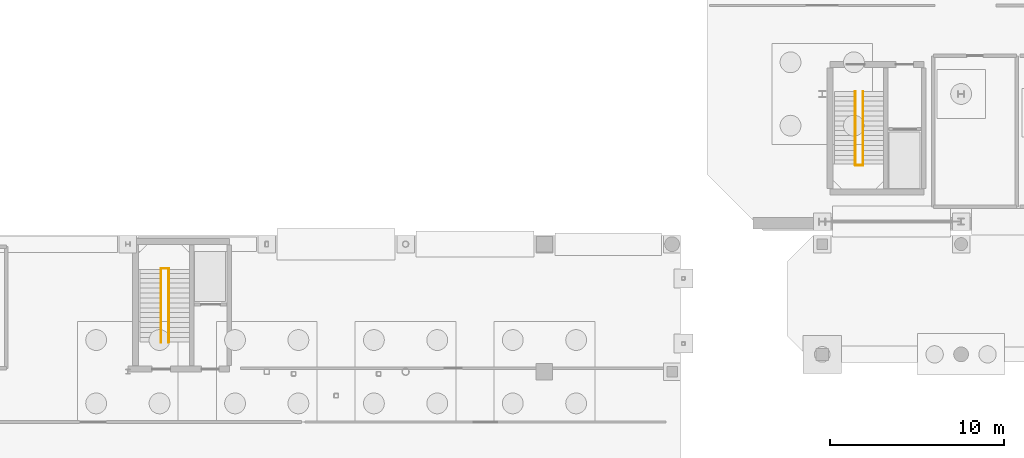
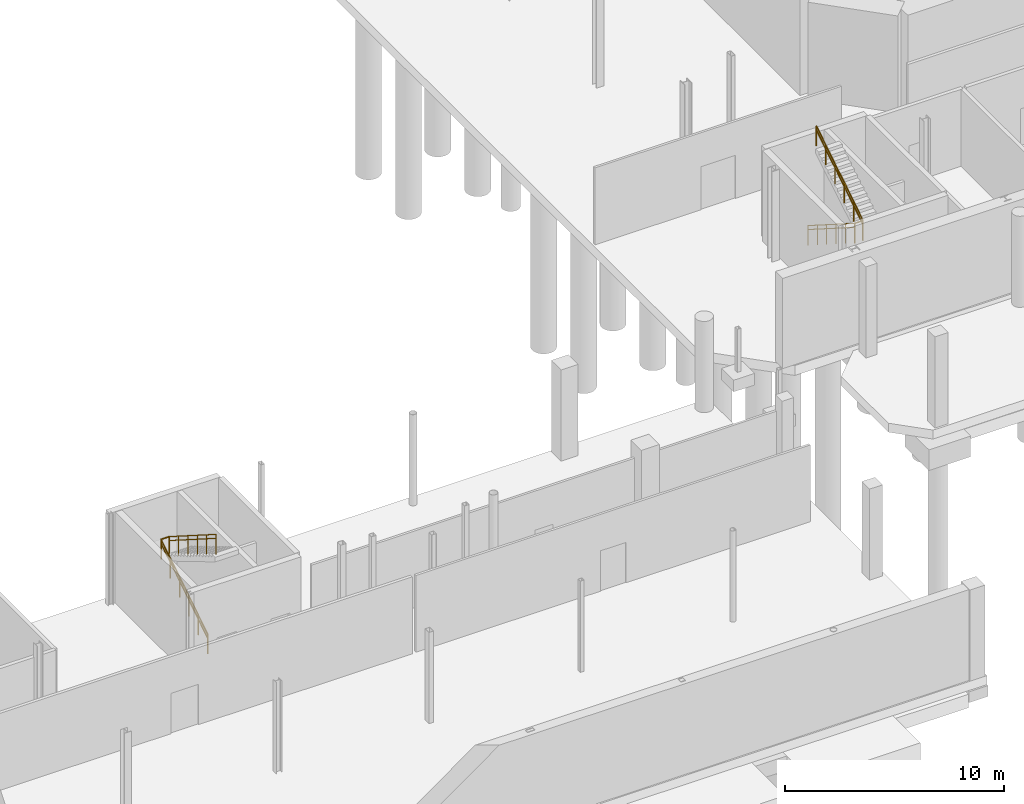
# One storey, part 30 of 33: 10 railings.
"""IFC4 building model written with IfcOpenShell, lengths in metres."""

from ifc_helpers import new_model, si_unit, direction, frame, origin, origin_2d, place, context, subcontext, project, spatial, circle, extrude, material, type_object, element, save


model = new_model("IFC4")

# Units and contexts
model_context = context("Model", 3, precision=1e-05, world=origin(), true_north=direction((0.0, 1.0)))
body_context = subcontext(model_context, "Body", "Model", "MODEL_VIEW")
ifc_project = project(units=[si_unit("LENGTHUNIT", "METRE"), si_unit("AREAUNIT", "SQUARE_METRE"), si_unit("VOLUMEUNIT", "CUBIC_METRE"), si_unit("PLANEANGLEUNIT", "RADIAN"), si_unit("MASSUNIT", "GRAM", prefix="KILO")], contexts=[model_context])

# Site, building, storey
site_placement = place(None, origin())
site = spatial("IfcSite", under=ifc_project, at=site_placement, CompositionType="ELEMENT")
building_placement = place(site_placement, origin())
building = spatial("IfcBuilding", under=site, at=building_placement, Name="Brisemont Oceanarium", CompositionType="ELEMENT")
storey_placement = place(building_placement, frame((0.0, 0.0, -5.39990234375)))
storey = spatial("IfcBuildingStorey", under=building, at=storey_placement, Name="B01", CompositionType="ELEMENT", Elevation=-5.39990234375)

# Railings
ifc_material_1 = material(Name="Duplex Stainless Steel EN 1.4462", Category="steel")
railing_type_1 = type_object("IfcRailingType", Name="RLG-GUARD-1120", PredefinedType="GUARDRAIL", material=ifc_material_1)
railing_1_placement = place(storey_placement, frame((65.909912109375, 40.14990234375, 0.0)))
element("IfcRailing", 1, at=railing_1_placement, inside=storey, type_object=railing_type_1, Name="ST-01 B01 F1 well guard", PredefinedType="GUARDRAIL", context=body_context, shape_type="SweptSolid", body=[
    extrude(circle(Radius=0.02392578125, at=origin_2d()), frame((0.0, 0.0, 1.09619140625), z_axis=(0.0, -0.84407452441, 0.536225882666), x_axis=(1.0, 0.0, 0.0)), (0.0, 0.0, 1.0), 5.03515625),
    extrude(circle(Radius=0.02099609375, at=origin_2d()), origin(), (0.0, 0.0, 1.0), 1.072021484375),
    extrude(circle(Radius=0.02099609375, at=origin_2d()), frame((0.0, -0.85009765625, 0.5400390625)), (0.0, 0.0, 1.0), 1.072021484375),
    extrude(circle(Radius=0.02099609375, at=origin_2d()), frame((0.0, -1.699951171875, 1.080078125)), (0.0, 0.0, 1.0), 1.072021484375),
    extrude(circle(Radius=0.02099609375, at=origin_2d()), frame((0.0, -2.550048828125, 1.619873046875)), (0.0, 0.0, 1.0), 1.072021484375),
    extrude(circle(Radius=0.02099609375, at=origin_2d()), frame((0.0, -3.39990234375, 2.159912109375)), (0.0, 0.0, 1.0), 1.072021484375),
    extrude(circle(Radius=0.02099609375, at=origin_2d()), frame((0.0, -4.25, 2.699951171875)), (0.0, 0.0, 1.0), 1.072021484375),
])
railing_2_placement = place(storey_placement, frame((66.35009765625, 35.89990234375, 2.699951171875)))
element("IfcRailing", 2, at=railing_2_placement, inside=storey, type_object=railing_type_1, Name="ST-01 B01 F2 well guard", PredefinedType="GUARDRAIL", context=body_context, shape_type="SweptSolid", body=[
    extrude(circle(Radius=0.02392578125, at=origin_2d()), frame((0.0, 0.0, 1.09619140625), z_axis=(0.0, 0.84407452441, 0.536225882666), x_axis=(-1.0, 0.0, 0.0)), (0.0, 0.0, 1.0), 5.03515625),
    extrude(circle(Radius=0.02099609375, at=origin_2d()), origin(), (0.0, 0.0, 1.0), 1.072021484375),
    extrude(circle(Radius=0.02099609375, at=origin_2d()), frame((0.0, 0.85009765625, 0.5400390625)), (0.0, 0.0, 1.0), 1.072021484375),
    extrude(circle(Radius=0.02099609375, at=origin_2d()), frame((0.0, 1.699951171875, 1.080078125)), (0.0, 0.0, 1.0), 1.072021484375),
    extrude(circle(Radius=0.02099609375, at=origin_2d()), frame((0.0, 2.550048828125, 1.619873046875)), (0.0, 0.0, 1.0), 1.072021484375),
    extrude(circle(Radius=0.02099609375, at=origin_2d()), frame((0.0, 3.39990234375, 2.159912109375)), (0.0, 0.0, 1.0), 1.072021484375),
    extrude(circle(Radius=0.02099609375, at=origin_2d()), frame((0.0, 4.25, 2.699951171875)), (0.0, 0.0, 1.0), 1.072021484375),
])
railing_3_placement = place(storey_placement, frame((65.909912109375, 35.89990234375, 2.699951171875)))
element("IfcRailing", 3, at=railing_3_placement, inside=storey, type_object=railing_type_1, Name="ST-01 B01 landing slot guard", PredefinedType="GUARDRAIL", context=body_context, shape_type="SweptSolid", body=[
    extrude(circle(Radius=0.02392578125, at=origin_2d()), frame((0.0, 0.0, 1.09619140625), z_axis=(1.0, 0.0, 0.0), x_axis=(0.0, 1.0, 0.0)), (0.0, 0.0, 1.0), 0.440185546875),
    extrude(circle(Radius=0.02099609375, at=origin_2d()), origin(), (0.0, 0.0, 1.0), 1.072021484375),
    extrude(circle(Radius=0.02099609375, at=origin_2d()), frame((0.440185546875, 0.0, 0.0)), (0.0, 0.0, 1.0), 1.072021484375),
])
railing_4_placement = place(storey_placement, frame((25.909912109375, 25.699951171875, 0.0)))
element("IfcRailing", 4, at=railing_4_placement, inside=storey, type_object=railing_type_1, Name="ST-03 B01 F1 well guard", PredefinedType="GUARDRAIL", context=body_context, shape_type="SweptSolid", body=[
    extrude(circle(Radius=0.02392578125, at=origin_2d()), frame((0.0, 0.0, 1.09619140625), z_axis=(0.0, 0.84407452441, 0.536225882666), x_axis=(-1.0, 0.0, 0.0)), (0.0, 0.0, 1.0), 5.03515625),
    extrude(circle(Radius=0.02099609375, at=origin_2d()), origin(), (0.0, 0.0, 1.0), 1.072021484375),
    extrude(circle(Radius=0.02099609375, at=origin_2d()), frame((0.0, 0.85009765625, 0.5400390625)), (0.0, 0.0, 1.0), 1.072021484375),
    extrude(circle(Radius=0.02099609375, at=origin_2d()), frame((0.0, 1.699951171875, 1.080078125)), (0.0, 0.0, 1.0), 1.072021484375),
    extrude(circle(Radius=0.02099609375, at=origin_2d()), frame((0.0, 2.550048828125, 1.619873046875)), (0.0, 0.0, 1.0), 1.072021484375),
    extrude(circle(Radius=0.02099609375, at=origin_2d()), frame((0.0, 3.39990234375, 2.159912109375)), (0.0, 0.0, 1.0), 1.072021484375),
    extrude(circle(Radius=0.02099609375, at=origin_2d()), frame((0.0, 4.25, 2.699951171875)), (0.0, 0.0, 1.0), 1.072021484375),
])
railing_5_placement = place(storey_placement, frame((26.35009765625, 29.949951171875, 2.699951171875)))
element("IfcRailing", 5, at=railing_5_placement, inside=storey, type_object=railing_type_1, Name="ST-03 B01 F2 well guard", PredefinedType="GUARDRAIL", context=body_context, shape_type="SweptSolid", body=[
    extrude(circle(Radius=0.02392578125, at=origin_2d()), frame((0.0, 0.0, 1.09619140625), z_axis=(0.0, -0.84407452441, 0.536225882666), x_axis=(1.0, 0.0, 0.0)), (0.0, 0.0, 1.0), 5.03515625),
    extrude(circle(Radius=0.02099609375, at=origin_2d()), origin(), (0.0, 0.0, 1.0), 1.072021484375),
    extrude(circle(Radius=0.02099609375, at=origin_2d()), frame((0.0, -0.85009765625, 0.5400390625)), (0.0, 0.0, 1.0), 1.072021484375),
    extrude(circle(Radius=0.02099609375, at=origin_2d()), frame((0.0, -1.699951171875, 1.080078125)), (0.0, 0.0, 1.0), 1.072021484375),
    extrude(circle(Radius=0.02099609375, at=origin_2d()), frame((0.0, -2.550048828125, 1.619873046875)), (0.0, 0.0, 1.0), 1.072021484375),
    extrude(circle(Radius=0.02099609375, at=origin_2d()), frame((0.0, -3.39990234375, 2.159912109375)), (0.0, 0.0, 1.0), 1.072021484375),
    extrude(circle(Radius=0.02099609375, at=origin_2d()), frame((0.0, -4.25, 2.699951171875)), (0.0, 0.0, 1.0), 1.072021484375),
])
railing_6_placement = place(storey_placement, frame((25.909912109375, 29.949951171875, 2.699951171875)))
element("IfcRailing", 6, at=railing_6_placement, inside=storey, type_object=railing_type_1, Name="ST-03 B01 landing slot guard", PredefinedType="GUARDRAIL", context=body_context, shape_type="SweptSolid", body=[
    extrude(circle(Radius=0.02392578125, at=origin_2d()), frame((0.0, 0.0, 1.09619140625), z_axis=(1.0, 0.0, 0.0), x_axis=(0.0, 1.0, 0.0)), (0.0, 0.0, 1.0), 0.440185546875),
    extrude(circle(Radius=0.02099609375, at=origin_2d()), origin(), (0.0, 0.0, 1.0), 1.072021484375),
    extrude(circle(Radius=0.02099609375, at=origin_2d()), frame((0.440185546875, 0.0, 0.0)), (0.0, 0.0, 1.0), 1.072021484375),
])
ifc_material_2 = material(Name="Duplex Stainless Steel EN 1.4462", Category="steel")
railing_type_2 = type_object("IfcRailingType", Name="RLG-HAND-900", PredefinedType="HANDRAIL", material=ifc_material_2)
railing_7_placement = place(storey_placement, frame((65.909912109375, 40.14990234375, 0.0)))
element("IfcRailing", 7, at=railing_7_placement, inside=storey, type_object=railing_type_2, Name="ST-01 B01 F1 handrail", PredefinedType="HANDRAIL", context=body_context, shape_type="SweptSolid", body=[
    extrude(circle(Radius=0.02392578125, at=origin_2d()), frame((0.0, 0.0, 0.8759765625), z_axis=(0.0, -0.84407452441, 0.536225882666), x_axis=(1.0, 0.0, 0.0)), (0.0, 0.0, 1.0), 5.03515625),
    extrude(circle(Radius=0.02099609375, at=origin_2d()), origin(), (0.0, 0.0, 1.0), 0.851806640625),
    extrude(circle(Radius=0.02099609375, at=origin_2d()), frame((0.0, -0.85009765625, 0.5400390625)), (0.0, 0.0, 1.0), 0.851806640625),
    extrude(circle(Radius=0.02099609375, at=origin_2d()), frame((0.0, -1.699951171875, 1.080078125)), (0.0, 0.0, 1.0), 0.851806640625),
    extrude(circle(Radius=0.02099609375, at=origin_2d()), frame((0.0, -2.550048828125, 1.619873046875)), (0.0, 0.0, 1.0), 0.851806640625),
    extrude(circle(Radius=0.02099609375, at=origin_2d()), frame((0.0, -3.39990234375, 2.159912109375)), (0.0, 0.0, 1.0), 0.851806640625),
    extrude(circle(Radius=0.02099609375, at=origin_2d()), frame((0.0, -4.25, 2.699951171875)), (0.0, 0.0, 1.0), 0.851806640625),
])
for number, where, name in (
    (8, (66.35009765625, 35.89990234375, 2.699951171875), "ST-01 B01 F2 handrail"),
    (9, (25.909912109375, 25.699951171875, 0.0), "ST-03 B01 F1 handrail"),
):
    element("IfcRailing", number, at=place(storey_placement, frame(where)), inside=storey, type_object=railing_type_2, Name=name, PredefinedType="HANDRAIL", context=body_context, shape_type="SweptSolid", body=[
        extrude(circle(Radius=0.02392578125, at=origin_2d()), frame((0.0, 0.0, 0.8759765625), z_axis=(0.0, 0.84407452441, 0.536225882666), x_axis=(-1.0, 0.0, 0.0)), (0.0, 0.0, 1.0), 5.03515625),
        extrude(circle(Radius=0.02099609375, at=origin_2d()), origin(), (0.0, 0.0, 1.0), 0.851806640625),
        extrude(circle(Radius=0.02099609375, at=origin_2d()), frame((0.0, 0.85009765625, 0.5400390625)), (0.0, 0.0, 1.0), 0.851806640625),
        extrude(circle(Radius=0.02099609375, at=origin_2d()), frame((0.0, 1.699951171875, 1.080078125)), (0.0, 0.0, 1.0), 0.851806640625),
        extrude(circle(Radius=0.02099609375, at=origin_2d()), frame((0.0, 2.550048828125, 1.619873046875)), (0.0, 0.0, 1.0), 0.851806640625),
        extrude(circle(Radius=0.02099609375, at=origin_2d()), frame((0.0, 3.39990234375, 2.159912109375)), (0.0, 0.0, 1.0), 0.851806640625),
        extrude(circle(Radius=0.02099609375, at=origin_2d()), frame((0.0, 4.25, 2.699951171875)), (0.0, 0.0, 1.0), 0.851806640625),
    ])
railing_8_placement = place(storey_placement, frame((26.35009765625, 29.949951171875, 2.699951171875)))
element("IfcRailing", 10, at=railing_8_placement, inside=storey, type_object=railing_type_2, Name="ST-03 B01 F2 handrail", PredefinedType="HANDRAIL", context=body_context, shape_type="SweptSolid", body=[
    extrude(circle(Radius=0.02392578125, at=origin_2d()), frame((0.0, 0.0, 0.8759765625), z_axis=(0.0, -0.84407452441, 0.536225882666), x_axis=(1.0, 0.0, 0.0)), (0.0, 0.0, 1.0), 5.03515625),
    extrude(circle(Radius=0.02099609375, at=origin_2d()), origin(), (0.0, 0.0, 1.0), 0.851806640625),
    extrude(circle(Radius=0.02099609375, at=origin_2d()), frame((0.0, -0.85009765625, 0.5400390625)), (0.0, 0.0, 1.0), 0.851806640625),
    extrude(circle(Radius=0.02099609375, at=origin_2d()), frame((0.0, -1.699951171875, 1.080078125)), (0.0, 0.0, 1.0), 0.851806640625),
    extrude(circle(Radius=0.02099609375, at=origin_2d()), frame((0.0, -2.550048828125, 1.619873046875)), (0.0, 0.0, 1.0), 0.851806640625),
    extrude(circle(Radius=0.02099609375, at=origin_2d()), frame((0.0, -3.39990234375, 2.159912109375)), (0.0, 0.0, 1.0), 0.851806640625),
    extrude(circle(Radius=0.02099609375, at=origin_2d()), frame((0.0, -4.25, 2.699951171875)), (0.0, 0.0, 1.0), 0.851806640625),
])

save(model, "model.ifc")
